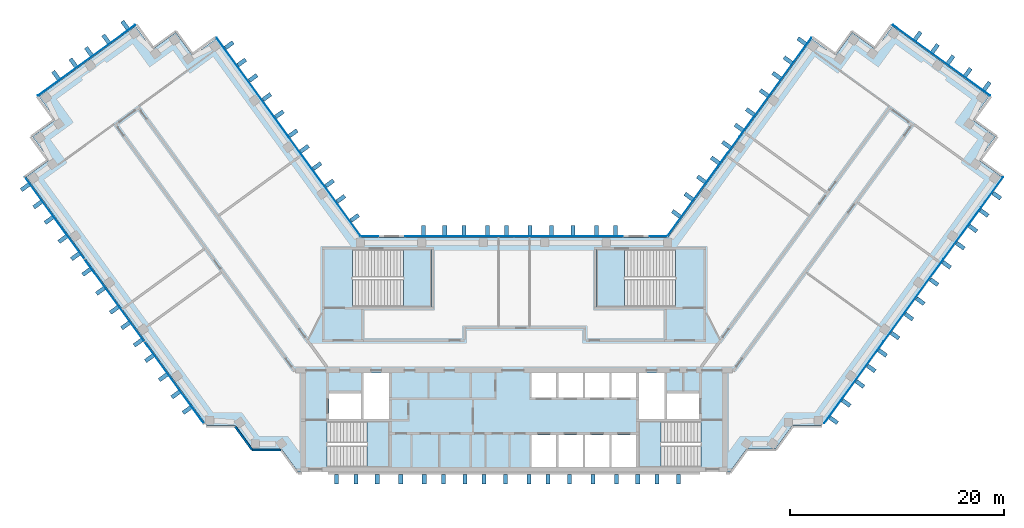
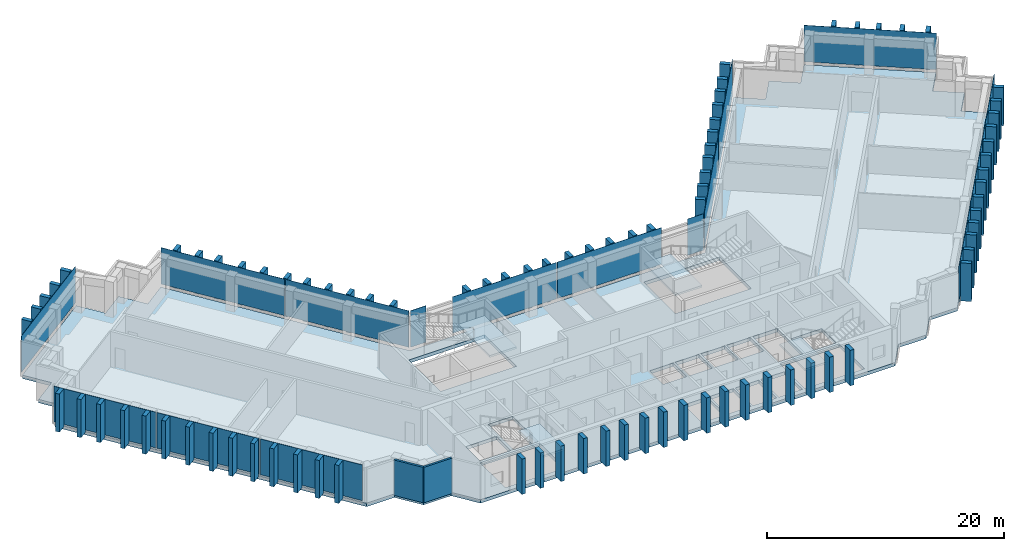
"""IFC4 building model written with IfcOpenShell, lengths in metres."""

import ifcopenshell
import ifcopenshell.guid

model = None  # the IFC model being written
_history = None  # IfcOwnerHistory: only IFC2X3 demands one
_inside = {}  # id of a spatial element -> (the spatial element, [elements in it])
_under = {}  # id of a project, library or spatial element -> (it, [spatial elements below it])
_declared = {}  # id of a project -> (the project, [libraries it declares])
_typed = {}  # id of a type object -> (the type object, [elements of that type])
_made_of = {}  # id of a material, layer set ... -> (it, [elements and type objects made of it])


def new_model(schema):
    """Start an empty IFC model of exactly this schema.

    Asked for "IFC4X3", IfcOpenShell would pick the latest addendum, in which some entities
    have other attributes; the version numbers below select the first issue.
    IFC2X3 requires an IfcOwnerHistory on every rooted entity: one is made here for all.
    """
    global model, _history
    if schema == "IFC4X3":
        model = ifcopenshell.file(schema_version=(4, 3, 0, 0))
    else:
        model = ifcopenshell.file(schema=schema)
    _inside.clear()
    _under.clear()
    _declared.clear()
    _typed.clear()
    _made_of.clear()
    _history = None
    if model.schema == "IFC2X3":
        org = make("IfcOrganization", Name="unknown")
        user = make(
            "IfcPersonAndOrganization",
            ThePerson=make("IfcPerson", FamilyName="unknown"),
            TheOrganization=org,
        )
        app = make(
            "IfcApplication",
            ApplicationDeveloper=org,
            Version="unknown",
            ApplicationFullName="unknown",
            ApplicationIdentifier="unknown",
        )
        _history = make(
            "IfcOwnerHistory",
            OwningUser=user,
            OwningApplication=app,
            ChangeAction="ADDED",
            CreationDate=0,
        )
    return model


def make(cls, **values):
    """One entity of the class cls with the attributes given. An attribute that is None is left unset."""
    return model.create_entity(
        cls, **{name: value for name, value in values.items() if value is not None}
    )


def rooted(cls, **values):
    """An entity with a GlobalId (a new one), such as an element, a storey or a relation."""
    return make(cls, GlobalId=ifcopenshell.guid.new(), OwnerHistory=_history, **values)


def si_unit(unit_type, name, prefix=None):
    """IfcSIUnit, for example si_unit("LENGTHUNIT", "METRE", prefix="MILLI")."""
    return make("IfcSIUnit", UnitType=unit_type, Prefix=prefix, Name=name)


def assignment(units):
    """IfcUnitAssignment: the units of a project."""
    return None if units is None else make("IfcUnitAssignment", Units=units)


def point(xyz):
    """IfcCartesianPoint."""
    return None if xyz is None else make("IfcCartesianPoint", Coordinates=xyz)


def direction(xyz):
    """IfcDirection."""
    return None if xyz is None else make("IfcDirection", DirectionRatios=xyz)


def frame(location, z_axis=None, x_axis=None):
    """IfcAxis2Placement3D, a coordinate frame: its origin and axes. An axis left out is left unset."""
    return make(
        "IfcAxis2Placement3D",
        Location=point(location),
        Axis=direction(z_axis),
        RefDirection=direction(x_axis),
    )


def frame_2d(location, x_axis=None):
    """IfcAxis2Placement2D, a coordinate frame in the plane: its origin and x axis."""
    return make(
        "IfcAxis2Placement2D", Location=point(location), RefDirection=direction(x_axis)
    )


def origin():
    """The frame at (0, 0, 0) with its axes left unset."""
    return frame((0.0, 0.0, 0.0))


def origin_2d():
    """The frame at (0, 0) in the plane with its x axis left unset."""
    return frame_2d((0.0, 0.0))


def place(relative_to, where):
    """IfcLocalPlacement: puts the frame where relative to a parent placement (None: the world)."""
    return make(
        "IfcLocalPlacement", PlacementRelTo=relative_to, RelativePlacement=where
    )


def context(
    kind, dimensions, precision=None, world=None, true_north=None, identifier=None
):
    """IfcGeometricRepresentationContext, for example the 3D "Model" context."""
    return make(
        "IfcGeometricRepresentationContext",
        ContextIdentifier=identifier,
        ContextType=kind,
        CoordinateSpaceDimension=dimensions,
        Precision=precision,
        WorldCoordinateSystem=world,
        TrueNorth=true_north,
    )


def subcontext(parent, identifier, kind, view, scale=None):
    """IfcGeometricRepresentationSubContext, for example "Body" below "Model"."""
    return make(
        "IfcGeometricRepresentationSubContext",
        ContextIdentifier=identifier,
        ContextType=kind,
        ParentContext=parent,
        TargetScale=scale,
        TargetView=view,
    )


def project(units=None, contexts=None):
    """IfcProject with its units and contexts."""
    return rooted(
        "IfcProject",
        Name="project",
        RepresentationContexts=contexts,
        UnitsInContext=assignment(units),
    )


def spatial(cls, under=None, at=None, **own):
    """A site, building, storey or space (cls), placed at a placement, below another one or the project."""
    s = rooted(cls, ObjectPlacement=at, **own)
    if under is not None:
        _under.setdefault(under.id(), (under, []))[1].append(s)
    return s


def polyline(points):
    """IfcPolyline through the points."""
    return make("IfcPolyline", Points=[point(p) for p in points])


def profile(cls, at=None, kind="AREA", **sizes):
    """A parametric profile (cls). Its sizes go by their IFC names, for example OverallWidth=200.0."""
    return make(cls, ProfileType=kind, Position=at, **sizes)


def rectangle(**sizes):
    """IfcRectangleProfileDef."""
    return profile("IfcRectangleProfileDef", **sizes)


def outline(outer, holes=None, kind="AREA"):
    """IfcArbitraryClosedProfileDef: a profile drawn as a closed curve; with holes, ...WithVoids."""
    if holes is None:
        return make("IfcArbitraryClosedProfileDef", ProfileType=kind, OuterCurve=outer)
    return make(
        "IfcArbitraryProfileDefWithVoids",
        ProfileType=kind,
        OuterCurve=outer,
        InnerCurves=holes,
    )


def extrude(swept, where, along, depth):
    """IfcExtrudedAreaSolid: the profile swept, set in the frame where, extruded along a direction by depth."""
    return make(
        "IfcExtrudedAreaSolid",
        SweptArea=swept,
        Position=where,
        ExtrudedDirection=direction(along),
        Depth=depth,
    )


def shape(context_of_items, identifier, shape_type, items):
    """IfcShapeRepresentation: the items that make up one representation, for example the "Body"."""
    return make(
        "IfcShapeRepresentation",
        ContextOfItems=context_of_items,
        RepresentationIdentifier=identifier,
        RepresentationType=shape_type,
        Items=items,
    )


def material(Name=None, Category=None):
    """IfcMaterial."""
    return make("IfcMaterial", Name=Name, Category=Category)


def layer(
    of_material, thickness, ventilated=None, Name=None, Category=None, Priority=None
):
    """IfcMaterialLayer: one layer of a wall or slab, of a material (None: an air gap)."""
    return make(
        "IfcMaterialLayer",
        Material=of_material,
        LayerThickness=thickness,
        IsVentilated=ventilated,
        Name=Name,
        Category=Category,
        Priority=Priority,
    )


def layer_set(layers, Name=None):
    """IfcMaterialLayerSet."""
    return make("IfcMaterialLayerSet", MaterialLayers=layers, LayerSetName=Name)


def made_of(thing, what):
    """Note that an element or type object is made of a material, layer set ...; save() writes the relation."""
    if what is not None:
        _made_of.setdefault(what.id(), (what, []))[1].append(thing)
    return thing


def type_object(cls, material=None, **own):
    """A type object (cls), such as IfcWallType, which elements share."""
    return made_of(rooted(cls, **own), material)


def element(
    cls,
    number,
    at=None,
    inside=None,
    cuts=None,
    type_object=None,
    material=None,
    context=None,
    identifier="Body",
    shape_type=None,
    held_by="IfcProductDefinitionShape",
    body=None,
    shapes=None,
    **own,
):
    """One element of the class cls, such as IfcWall. Its Tag is "e" and its number.

    at: its placement. inside: the storey or other place that contains it. cuts: it is an
    opening in that element (IfcRelVoidsElement). A single representation is given by context,
    identifier, shape_type and body (its items); several are given by shapes. held_by: the class
    of the entity that holds the representations. save() writes the other relations.
    """
    e = rooted(cls, Tag="e%d" % number, ObjectPlacement=at, **own)
    if body is not None:
        shapes = [shape(context, identifier, shape_type, body)]
    if shapes is not None:
        e.Representation = make(held_by, Representations=shapes)
    if inside is not None:
        _inside.setdefault(inside.id(), (inside, []))[1].append(e)
    if cuts is not None:
        rooted(
            "IfcRelVoidsElement", RelatingBuildingElement=cuts, RelatedOpeningElement=e
        )
    if type_object is not None:
        _typed.setdefault(type_object.id(), (type_object, []))[1].append(e)
    return made_of(e, material)


def aggregate(whole, parts):
    """IfcRelAggregates: a whole, such as a stair, and the parts it consists of."""
    return rooted("IfcRelAggregates", RelatingObject=whole, RelatedObjects=parts)


def save(model, path):
    """Write the relations noted so far, then the file.

    IfcRelAggregates (storeys below a building ...), IfcRelContainedInSpatialStructure (elements
    in a storey), IfcRelDefinesByType, IfcRelAssociatesMaterial and IfcRelDeclares: one each for
    every whole, place, type object, material and project.
    """
    for whole, parts in _under.values():
        aggregate(whole, parts)
    for where, things in _inside.values():
        rooted(
            "IfcRelContainedInSpatialStructure",
            RelatedElements=things,
            RelatingStructure=where,
        )
    for kind, things in _typed.values():
        rooted("IfcRelDefinesByType", RelatedObjects=things, RelatingType=kind)
    for what, things in _made_of.values():
        rooted("IfcRelAssociatesMaterial", RelatedObjects=things, RelatingMaterial=what)
    for by, libraries in _declared.values():
        rooted("IfcRelDeclares", RelatingContext=by, RelatedDefinitions=libraries)
    model.write(path)


model = new_model("IFC4")

# Units and contexts
model_context = context("Model", 3, precision=1e-05, world=origin(), true_north=direction((0.0, 1.0)))
body_context = subcontext(model_context, "Body", "Model", "MODEL_VIEW")
ifc_project = project(units=[si_unit("LENGTHUNIT", "METRE"), si_unit("AREAUNIT", "SQUARE_METRE"), si_unit("VOLUMEUNIT", "CUBIC_METRE"), si_unit("PLANEANGLEUNIT", "RADIAN"), si_unit("MASSUNIT", "GRAM", prefix="KILO")], contexts=[model_context])

# Site, building, storey
site_placement = place(None, origin())
site = spatial("IfcSite", under=ifc_project, at=site_placement, CompositionType="ELEMENT")
building_placement = place(site_placement, origin())
building = spatial("IfcBuilding", under=site, at=building_placement, Name="Quipu Civic Tower", CompositionType="ELEMENT")
storey_1_placement = place(building_placement, frame((0.0, 0.0, 144.0)))
storey_1 = spatial("IfcBuildingStorey", under=building, at=storey_1_placement, Name="L33", CompositionType="ELEMENT", Elevation=144.0)

# Slab
ifc_material_1 = material(Name="Concrete C40/50", Category="concrete")
ifc_layer_1 = layer(ifc_material_1, 0.35009765625)
ifc_layer_set_1 = layer_set([ifc_layer_1], Name="Concrete C40/50")
slab_type_1 = type_object("IfcSlabType", Name="Floor slab 350 C40/50", PredefinedType="FLOOR", material=ifc_layer_set_1)
slab_1_placement = place(storey_1_placement, frame((0.0, 0.0, -0.35009765625)))
element("IfcSlab", 1, at=slab_1_placement, inside=storey_1, type_object=slab_type_1, Name="Floor slab L33", PredefinedType="FLOOR", context=body_context, shape_type="SweptSolid", body=[
    extrude(outline(polyline([(27.909912109375, 29.60498046875), (30.094970703125, 28.014892578125), (31.68505859375, 30.199951171875), (33.864990234375, 28.614990234375), (35.455078125, 30.800048828125), (44.514892578125, 24.215087890625), (42.929931640625, 22.030029296875), (45.114990234375, 20.445068359375), (43.52490234375, 18.260009765625), (45.7099609375, 16.669921875), (28.780029296875, -6.6298828125), (26.080078125, -6.6298828125), (24.489990234375, -8.81494140625), (21.7900390625, -8.81494140625), (20.205078125, -11.0), (-20.205078125, -11.0), (-21.7900390625, -8.81494140625), (-24.489990234375, -8.81494140625), (-26.080078125, -6.6298828125), (-28.780029296875, -6.6298828125), (-45.7099609375, 16.669921875), (-43.52490234375, 18.260009765625), (-45.114990234375, 20.445068359375), (-42.929931640625, 22.030029296875), (-44.514892578125, 24.215087890625), (-35.455078125, 30.800048828125), (-33.864990234375, 28.614990234375), (-31.68505859375, 30.199951171875), (-30.094970703125, 28.014892578125), (-27.909912109375, 29.60498046875), (-14.39501953125, 11.0), (14.39501953125, 11.0), (27.909912109375, 29.60498046875)]), holes=[polyline([(1.64990234375, -7.5), (1.64990234375, -10.5), (3.949951171875, -10.5), (3.949951171875, -7.5), (1.64990234375, -7.5)]), polyline([(4.14990234375, -7.5), (4.14990234375, -10.5), (6.449951171875, -10.5), (6.449951171875, -7.5), (4.14990234375, -7.5)]), polyline([(-11.705078125, -6.2548828125), (-17.4951171875, -6.2548828125), (-17.4951171875, -10.4951171875), (-11.705078125, -10.4951171875), (-11.705078125, -6.2548828125)]), polyline([(-17.35009765625, -3.60009765625), (-17.35009765625, -6.0), (-14.35009765625, -6.0), (-14.35009765625, -3.60009765625), (-17.35009765625, -3.60009765625)]), polyline([(-14.10009765625, -1.699951171875), (-14.10009765625, -6.0), (-11.699951171875, -6.0), (-11.699951171875, -1.699951171875), (-14.10009765625, -1.699951171875)]), polyline([(1.64990234375, -1.699951171875), (1.64990234375, -4.0), (3.949951171875, -4.0), (3.949951171875, -1.699951171875), (1.64990234375, -1.699951171875)]), polyline([(4.14990234375, -1.699951171875), (4.14990234375, -4.0), (6.449951171875, -4.0), (6.449951171875, -1.699951171875), (4.14990234375, -1.699951171875)]), polyline([(-7.7548828125, 9.844970703125), (-15.14501953125, 9.844970703125), (-15.14501953125, 4.5048828125), (-7.7548828125, 4.5048828125), (-7.7548828125, 9.844970703125)]), polyline([(6.64990234375, -7.5), (6.64990234375, -10.5), (8.949951171875, -10.5), (8.949951171875, -7.5), (6.64990234375, -7.5)]), polyline([(9.14990234375, -7.5), (9.14990234375, -10.5), (11.449951171875, -10.5), (11.449951171875, -7.5), (9.14990234375, -7.5)]), polyline([(11.705078125, -10.4951171875), (17.4951171875, -10.4951171875), (17.4951171875, -6.2548828125), (11.705078125, -6.2548828125), (11.705078125, -10.4951171875)]), polyline([(14.35009765625, -3.60009765625), (14.35009765625, -6.0), (17.35009765625, -6.0), (17.35009765625, -3.60009765625), (14.35009765625, -3.60009765625)]), polyline([(11.699951171875, -1.699951171875), (11.699951171875, -6.0), (14.10009765625, -6.0), (14.10009765625, -1.699951171875), (11.699951171875, -1.699951171875)]), polyline([(6.64990234375, -1.699951171875), (6.64990234375, -4.0), (8.949951171875, -4.0), (8.949951171875, -1.699951171875), (6.64990234375, -1.699951171875)]), polyline([(9.14990234375, -1.699951171875), (9.14990234375, -4.0), (11.449951171875, -4.0), (11.449951171875, -1.699951171875), (9.14990234375, -1.699951171875)]), polyline([(7.7548828125, 4.5048828125), (15.14501953125, 4.5048828125), (15.14501953125, 9.844970703125), (7.7548828125, 9.844970703125), (7.7548828125, 4.5048828125)])]), origin(), (0.0, 0.0, 1.0), 0.35009765625),
])

# Curtain wall, plates
ifc_material_2 = material(Name="Insulated glass unit", Category="glass")
curtain_wall_type = type_object("IfcCurtainWallType", Name="Office curtain wall CW1", PredefinedType="NOTDEFINED", material=ifc_material_2)
curtain_wall_1_placement = place(storey_1_placement, origin())
curtain_wall_1 = element("IfcCurtainWall", 2, at=curtain_wall_1_placement, inside=storey_1, type_object=curtain_wall_type, Name="Office curtain wall CW1 L33 run 4", PredefinedType="NOTDEFINED")
ifc_material_3 = material(Name="Insulated glass unit", Category="glass")
ifc_layer_2 = layer(ifc_material_3, 0.028076171875)
ifc_layer_set_2 = layer_set([ifc_layer_2], Name="Insulated glass unit")
plate_type_1 = type_object("IfcPlateType", Name="Glass panel CW1", PredefinedType="CURTAIN_PANEL", material=ifc_layer_set_2)
plate_1_placement = place(storey_1_placement, frame((-43.030517578125, 12.814208984375, 0.240234375), z_axis=(0.0, 0.0, 1.0), x_axis=(0.5877856923, -0.80901667469, 0.0)))
plate_1 = element("IfcPlate", 3, at=plate_1_placement, type_object=plate_type_1, Name="CW1 panel 1.1", PredefinedType="CURTAIN_PANEL", context=body_context, shape_type="SweptSolid", body=[
    extrude(rectangle(XDim=9.43212890625, YDim=0.028076171875, at=origin_2d()), origin(), (0.0, 0.0, 1.0), 3.679931640625),
])
plate_2_placement = place(storey_1_placement, frame((-37.427734375, 5.102783203125, 0.240234375), z_axis=(0.0, 0.0, 1.0), x_axis=(0.5877856923, -0.80901667469, 0.0)))
plate_2 = element("IfcPlate", 4, at=plate_2_placement, type_object=plate_type_1, Name="CW1 panel 2.1", PredefinedType="CURTAIN_PANEL", context=body_context, shape_type="SweptSolid", body=[
    extrude(rectangle(XDim=9.471923828125, YDim=0.028076171875, at=origin_2d()), origin(), (0.0, 0.0, 1.0), 3.679931640625),
])
plate_3_placement = place(storey_1_placement, frame((-31.824951171875, -2.60888671875, 0.240234375), z_axis=(0.0, 0.0, 1.0), x_axis=(0.5877856923, -0.80901667469, 0.0)))
plate_3 = element("IfcPlate", 5, at=plate_3_placement, type_object=plate_type_1, Name="CW1 panel 3.1", PredefinedType="CURTAIN_PANEL", context=body_context, shape_type="SweptSolid", body=[
    extrude(rectangle(XDim=9.43212890625, YDim=0.028076171875, at=origin_2d()), origin(), (0.0, 0.0, 1.0), 3.679931640625),
])
aggregate(curtain_wall_1, [plate_1, plate_2, plate_3])

# Storey
storey_2_placement = place(building_placement, frame((0.0, 0.0, 148.0)))
storey_2 = spatial("IfcBuildingStorey", under=building, at=storey_2_placement, Name="L34", CompositionType="ELEMENT", Elevation=148.0)

# Curtain wall, plates
curtain_wall_2_placement = place(storey_2_placement, origin())
curtain_wall_2 = element("IfcCurtainWall", 6, at=curtain_wall_2_placement, inside=storey_2, type_object=curtain_wall_type, Name="Office curtain wall CW1 L33 run 16", PredefinedType="NOTDEFINED")
plate_4_placement = place(storey_1_placement, frame((31.824951171875, -2.60888671875, 0.240234375), z_axis=(0.0, 0.0, 1.0), x_axis=(0.5877856923, 0.80901667469, 0.0)))
plate_4 = element("IfcPlate", 7, at=plate_4_placement, inside=storey_1, type_object=plate_type_1, Name="CW1 panel 1.1", PredefinedType="CURTAIN_PANEL", context=body_context, shape_type="SweptSolid", body=[
    extrude(rectangle(XDim=9.43212890625, YDim=0.028076171875, at=origin_2d()), origin(), (0.0, 0.0, 1.0), 3.760009765625),
])
plate_5_placement = place(storey_1_placement, frame((37.427734375, 5.102783203125, 0.240234375), z_axis=(0.0, 0.0, 1.0), x_axis=(0.5877856923, 0.80901667469, 0.0)))
plate_5 = element("IfcPlate", 8, at=plate_5_placement, inside=storey_1, type_object=plate_type_1, Name="CW1 panel 2.1", PredefinedType="CURTAIN_PANEL", context=body_context, shape_type="SweptSolid", body=[
    extrude(rectangle(XDim=9.471923828125, YDim=0.028076171875, at=origin_2d()), origin(), (0.0, 0.0, 1.0), 3.760009765625),
])
plate_6_placement = place(storey_1_placement, frame((43.030517578125, 12.814208984375, 0.240234375), z_axis=(0.0, 0.0, 1.0), x_axis=(0.5877856923, 0.80901667469, 0.0)))
plate_6 = element("IfcPlate", 9, at=plate_6_placement, inside=storey_1, type_object=plate_type_1, Name="CW1 panel 3.1", PredefinedType="CURTAIN_PANEL", context=body_context, shape_type="SweptSolid", body=[
    extrude(rectangle(XDim=9.43212890625, YDim=0.028076171875, at=origin_2d()), origin(), (0.0, 0.0, 1.0), 3.760009765625),
])
aggregate(curtain_wall_2, [plate_4, plate_5, plate_6])

# Curtain wall, plate
curtain_wall_3_placement = place(storey_2_placement, origin())
curtain_wall_3 = element("IfcCurtainWall", 10, at=curtain_wall_3_placement, inside=storey_2, type_object=curtain_wall_type, Name="Office curtain wall CW1 L33 run 21", PredefinedType="NOTDEFINED")
plate_7_placement = place(storey_1_placement, frame((40.04345703125, 27.58740234375, 0.240234375), z_axis=(0.0, 0.0, 1.0), x_axis=(-0.809015176832, 0.587787753918, 0.0)))
plate_7 = element("IfcPlate", 11, at=plate_7_placement, inside=storey_1, type_object=plate_type_1, Name="CW1 panel 1.1", PredefinedType="CURTAIN_PANEL", context=body_context, shape_type="SweptSolid", body=[
    extrude(rectangle(XDim=11.239990234375, YDim=0.028076171875, at=origin_2d()), origin(), (0.0, 0.0, 1.0), 3.760009765625),
])
aggregate(curtain_wall_3, [plate_7])

# Curtain wall, plates
curtain_wall_4_placement = place(storey_2_placement, origin())
curtain_wall_4 = element("IfcCurtainWall", 12, at=curtain_wall_4_placement, inside=storey_2, type_object=curtain_wall_type, Name="Office curtain wall CW1 L33 run 26", PredefinedType="NOTDEFINED")
plate_8_placement = place(storey_1_placement, frame((24.491455078125, 25.066162109375, 0.240234375), z_axis=(0.0, 0.0, 1.0), x_axis=(-0.587788727052, -0.809014469803, 0.0)))
plate_8 = element("IfcPlate", 13, at=plate_8_placement, inside=storey_1, type_object=plate_type_1, Name="CW1 panel 1.1", PredefinedType="CURTAIN_PANEL", context=body_context, shape_type="SweptSolid", body=[
    extrude(rectangle(XDim=11.402099609375, YDim=0.028076171875, at=origin_2d()), origin(), (0.0, 0.0, 1.0), 3.760009765625),
])
plate_9_placement = place(storey_1_placement, frame((17.7421875, 15.777099609375, 0.240234375), z_axis=(0.0, 0.0, 1.0), x_axis=(-0.587788727052, -0.809014469803, 0.0)))
plate_9 = element("IfcPlate", 14, at=plate_9_placement, inside=storey_1, type_object=plate_type_1, Name="CW1 panel 2.1", PredefinedType="CURTAIN_PANEL", context=body_context, shape_type="SweptSolid", body=[
    extrude(rectangle(XDim=11.402099609375, YDim=0.028076171875, at=origin_2d()), origin(), (0.0, 0.0, 1.0), 3.760009765625),
])
aggregate(curtain_wall_4, [plate_8, plate_9])

# Curtain wall, plate
curtain_wall_5_placement = place(storey_2_placement, origin())
curtain_wall_5 = element("IfcCurtainWall", 15, at=curtain_wall_5_placement, inside=storey_2, type_object=curtain_wall_type, Name="Office curtain wall CW1 L33 run 27", PredefinedType="NOTDEFINED")
plate_10_placement = place(storey_1_placement, frame((13.49951171875, 11.10009765625, 0.240234375), z_axis=(0.0, 0.0, 1.0), x_axis=(-1.0, 0.0, 0.0)))
plate_10 = element("IfcPlate", 16, at=plate_10_placement, inside=storey_1, type_object=plate_type_1, Name="CW1 panel 1.1", PredefinedType="CURTAIN_PANEL", context=body_context, shape_type="SweptSolid", body=[
    extrude(rectangle(XDim=1.529296875, YDim=0.028076171875, at=origin_2d()), origin(), (0.0, 0.0, 1.0), 3.760009765625),
])
aggregate(curtain_wall_5, [plate_10])

# Curtain wall, plates
curtain_wall_6_placement = place(storey_2_placement, origin())
curtain_wall_6 = element("IfcCurtainWall", 17, at=curtain_wall_6_placement, inside=storey_2, type_object=curtain_wall_type, Name="Office curtain wall CW1 L33 run 29", PredefinedType="NOTDEFINED")
plate_11_placement = place(storey_1_placement, frame((5.11181640625, 11.10009765625, 0.240234375), z_axis=(0.0, 0.0, 1.0), x_axis=(-1.0, 0.0, 0.0)))
plate_11 = element("IfcPlate", 18, at=plate_11_placement, inside=storey_1, type_object=plate_type_1, Name="CW1 panel 1.1", PredefinedType="CURTAIN_PANEL", context=body_context, shape_type="SweptSolid", body=[
    extrude(rectangle(XDim=10.1435546875, YDim=0.028076171875, at=origin_2d()), origin(), (0.0, 0.0, 1.0), 3.760009765625),
])
plate_12_placement = place(storey_1_placement, frame((-5.11181640625, 11.10009765625, 0.240234375), z_axis=(0.0, 0.0, 1.0), x_axis=(-1.0, 0.0, 0.0)))
plate_12 = element("IfcPlate", 19, at=plate_12_placement, inside=storey_1, type_object=plate_type_1, Name="CW1 panel 2.1", PredefinedType="CURTAIN_PANEL", context=body_context, shape_type="SweptSolid", body=[
    extrude(rectangle(XDim=10.1435546875, YDim=0.028076171875, at=origin_2d()), origin(), (0.0, 0.0, 1.0), 3.760009765625),
])
aggregate(curtain_wall_6, [plate_11, plate_12])

# Curtain wall, plate
curtain_wall_7_placement = place(storey_2_placement, origin())
curtain_wall_7 = element("IfcCurtainWall", 20, at=curtain_wall_7_placement, inside=storey_2, type_object=curtain_wall_type, Name="Office curtain wall CW1 L33 run 31", PredefinedType="NOTDEFINED")
plate_13_placement = place(storey_1_placement, frame((-13.49951171875, 11.10009765625, 0.240234375), z_axis=(0.0, 0.0, 1.0), x_axis=(-1.0, 0.0, 0.0)))
plate_13 = element("IfcPlate", 21, at=plate_13_placement, inside=storey_1, type_object=plate_type_1, Name="CW1 panel 1.1", PredefinedType="CURTAIN_PANEL", context=body_context, shape_type="SweptSolid", body=[
    extrude(rectangle(XDim=1.529296875, YDim=0.028076171875, at=origin_2d()), origin(), (0.0, 0.0, 1.0), 3.760009765625),
])
aggregate(curtain_wall_7, [plate_13])

# Curtain wall, plates
curtain_wall_8_placement = place(storey_2_placement, origin())
curtain_wall_8 = element("IfcCurtainWall", 22, at=curtain_wall_8_placement, inside=storey_2, type_object=curtain_wall_type, Name="Office curtain wall CW1 L33 run 32", PredefinedType="NOTDEFINED")
plate_14_placement = place(storey_1_placement, frame((-17.7421875, 15.777099609375, 0.240234375), z_axis=(0.0, 0.0, 1.0), x_axis=(-0.587788727052, 0.809014469803, 0.0)))
plate_14 = element("IfcPlate", 23, at=plate_14_placement, inside=storey_1, type_object=plate_type_1, Name="CW1 panel 1.1", PredefinedType="CURTAIN_PANEL", context=body_context, shape_type="SweptSolid", body=[
    extrude(rectangle(XDim=11.402099609375, YDim=0.028076171875, at=origin_2d()), origin(), (0.0, 0.0, 1.0), 3.760009765625),
])
plate_15_placement = place(storey_1_placement, frame((-24.491455078125, 25.066162109375, 0.240234375), z_axis=(0.0, 0.0, 1.0), x_axis=(-0.587788727052, 0.809014469803, 0.0)))
plate_15 = element("IfcPlate", 24, at=plate_15_placement, inside=storey_1, type_object=plate_type_1, Name="CW1 panel 2.1", PredefinedType="CURTAIN_PANEL", context=body_context, shape_type="SweptSolid", body=[
    extrude(rectangle(XDim=11.402099609375, YDim=0.028076171875, at=origin_2d()), origin(), (0.0, 0.0, 1.0), 3.760009765625),
])
aggregate(curtain_wall_8, [plate_14, plate_15])

# Curtain wall, plate
curtain_wall_9_placement = place(storey_2_placement, origin())
curtain_wall_9 = element("IfcCurtainWall", 25, at=curtain_wall_9_placement, inside=storey_2, type_object=curtain_wall_type, Name="Office curtain wall CW1 L33 run 37", PredefinedType="NOTDEFINED")
plate_16_placement = place(storey_1_placement, frame((-40.04345703125, 27.58740234375, 0.240234375), z_axis=(0.0, 0.0, 1.0), x_axis=(-0.809015176832, -0.587787753918, 0.0)))
plate_16 = element("IfcPlate", 26, at=plate_16_placement, inside=storey_1, type_object=plate_type_1, Name="CW1 panel 1.1", PredefinedType="CURTAIN_PANEL", context=body_context, shape_type="SweptSolid", body=[
    extrude(rectangle(XDim=11.239990234375, YDim=0.028076171875, at=origin_2d()), origin(), (0.0, 0.0, 1.0), 3.760009765625),
])
aggregate(curtain_wall_9, [plate_16])

# Plates
ifc_material_4 = material(Name="Precast concrete C40/50", Category="concrete")
plate_type_2 = type_object("IfcPlateType", Name="Precast fin F2", PredefinedType="SHEET", material=ifc_material_4)
for number, where, z_axis, x_axis, name in (
    (27, (-45.80078125, 15.69140625, 0.080078125), (0.0, 0.0, 1.0), (0.587785620359, -0.809016726959, 0.0), "Precast fin F2 L33.4.1"),
    (28, (-44.625244140625, 14.073486328125, 0.080078125), (0.0, 0.0, 1.0), (0.587785620359, -0.809016726959, 0.0), "Precast fin F2 L33.4.2"),
    (29, (-43.567138671875, 12.6171875, 0.080078125), (0.0, 0.0, 1.0), (0.587785620359, -0.809016726959, 0.0), "Precast fin F2 L33.4.3"),
    (30, (-42.27392578125, 10.83740234375, 0.080078125), (0.0, 0.0, 1.0), (0.587785620359, -0.809016726959, 0.0), "Precast fin F2 L33.4.4"),
    (31, (-41.098388671875, 9.21923828125, 0.080078125), (0.0, 0.0, 1.0), (0.587785620359, -0.809016726959, 0.0), "Precast fin F2 L33.4.5"),
    (32, (-40.040283203125, 7.76318359375, 0.080078125), (0.0, 0.0, 1.0), (0.587785620359, -0.809016726959, 0.0), "Precast fin F2 L33.4.6"),
    (33, (-38.747314453125, 5.983154296875, 0.080078125), (0.0, 0.0, 1.0), (0.587785620359, -0.809016726959, 0.0), "Precast fin F2 L33.4.7"),
    (34, (-37.4541015625, 4.203369140625, 0.080078125), (0.0, 0.0, 1.0), (0.587785620359, -0.809016726959, 0.0), "Precast fin F2 L33.4.8"),
    (35, (-36.396240234375, 2.747314453125, 0.080078125), (0.0, 0.0, 1.0), (0.587785620359, -0.809016726959, 0.0), "Precast fin F2 L33.4.9"),
    (36, (-35.220458984375, 1.129150390625, 0.080078125), (0.0, 0.0, 1.0), (0.587785620359, -0.809016726959, 0.0), "Precast fin F2 L33.4.10"),
    (37, (-34.16259765625, -0.3271484375, 0.080078125), (0.0, 0.0, 1.0), (0.587785620359, -0.809016726959, 0.0), "Precast fin F2 L33.4.11"),
    (38, (-32.869384765625, -2.10693359375, 0.080078125), (0.0, 0.0, 1.0), (0.587785620359, -0.809016726959, 0.0), "Precast fin F2 L33.4.12"),
    (39, (-31.69384765625, -3.724853515625, 0.080078125), (0.0, 0.0, 1.0), (0.587785620359, -0.809016726959, 0.0), "Precast fin F2 L33.4.13"),
    (40, (-30.6357421875, -5.18115234375, 0.080078125), (0.0, 0.0, 1.0), (0.587785620359, -0.809016726959, 0.0), "Precast fin F2 L33.4.14"),
):
    element("IfcPlate", number, at=place(storey_1_placement, frame(where, z_axis=z_axis, x_axis=x_axis)), inside=storey_1, type_object=plate_type_2, Name=name, PredefinedType="SHEET", context=body_context, shape_type="SweptSolid", body=[
        extrude(rectangle(XDim=0.3798828125, YDim=0.89990234375, at=origin_2d()), origin(), (0.0, 0.0, 1.0), 3.919921875),
    ])
for number, where, z_axis, x_axis, name in (
    (41, (-16.610107421875, -11.637939453125, 0.0), (0.0, 0.0, 1.0), (1.0, 0.0, 0.0), "Precast fin F2 L33.10.1"),
    (42, (-14.81005859375, -11.637939453125, 0.0), (0.0, 0.0, 1.0), (1.0, 0.0, 0.0), "Precast fin F2 L33.10.2"),
    (43, (-12.81005859375, -11.637939453125, 0.0), (0.0, 0.0, 1.0), (1.0, 0.0, 0.0), "Precast fin F2 L33.10.3"),
    (44, (-10.610107421875, -11.637939453125, 0.0), (0.0, 0.0, 1.0), (1.0, 0.0, 0.0), "Precast fin F2 L33.10.4"),
    (45, (-8.409912109375, -11.637939453125, 0.0), (0.0, 0.0, 1.0), (1.0, 0.0, 0.0), "Precast fin F2 L33.10.5"),
    (46, (-6.610107421875, -11.637939453125, 0.0), (0.0, 0.0, 1.0), (1.0, 0.0, 0.0), "Precast fin F2 L33.10.6"),
    (47, (-4.610107421875, -11.637939453125, 0.0), (0.0, 0.0, 1.0), (1.0, 0.0, 0.0), "Precast fin F2 L33.10.7"),
    (48, (-2.81005859375, -11.637939453125, 0.0), (0.0, 0.0, 1.0), (1.0, 0.0, 0.0), "Precast fin F2 L33.10.8"),
    (49, (-0.81005859375, -11.637939453125, 0.0), (0.0, 0.0, 1.0), (1.0, 0.0, 0.0), "Precast fin F2 L33.10.9"),
    (50, (1.389892578125, -11.637939453125, 0.0), (0.0, 0.0, 1.0), (1.0, 0.0, 0.0), "Precast fin F2 L33.10.10"),
    (51, (3.18994140625, -11.637939453125, 0.0), (0.0, 0.0, 1.0), (1.0, 0.0, 0.0), "Precast fin F2 L33.10.11"),
    (52, (5.18994140625, -11.637939453125, 0.0), (0.0, 0.0, 1.0), (1.0, 0.0, 0.0), "Precast fin F2 L33.10.12"),
    (53, (7.389892578125, -11.637939453125, 0.0), (0.0, 0.0, 1.0), (1.0, 0.0, 0.0), "Precast fin F2 L33.10.13"),
    (54, (9.590087890625, -11.637939453125, 0.0), (0.0, 0.0, 1.0), (1.0, 0.0, 0.0), "Precast fin F2 L33.10.14"),
    (55, (11.590087890625, -11.637939453125, 0.0), (0.0, 0.0, 1.0), (1.0, 0.0, 0.0), "Precast fin F2 L33.10.15"),
    (56, (13.389892578125, -11.637939453125, 0.0), (0.0, 0.0, 1.0), (1.0, 0.0, 0.0), "Precast fin F2 L33.10.16"),
    (57, (15.389892578125, -11.637939453125, 0.0), (0.0, 0.0, 1.0), (1.0, 0.0, 0.0), "Precast fin F2 L33.10.17"),
):
    element("IfcPlate", number, at=place(storey_1_placement, frame(where, z_axis=z_axis, x_axis=x_axis)), inside=storey_1, type_object=plate_type_2, Name=name, PredefinedType="SHEET", context=body_context, shape_type="SweptSolid", body=[
        extrude(rectangle(XDim=0.3798828125, YDim=0.89990234375, at=origin_2d()), origin(), (0.0, 0.0, 1.0), 3.64990234375),
    ])
for number, where, z_axis, x_axis, name in (
    (58, (29.944091796875, -6.133056640625, 0.080078125), (0.0, 0.0, 1.0), (0.587785620359, 0.809016726959, 0.0), "Precast fin F2 L33.16.1"),
    (59, (31.119873046875, -4.51513671875, 0.080078125), (0.0, 0.0, 1.0), (0.587785620359, 0.809016726959, 0.0), "Precast fin F2 L33.16.2"),
    (60, (32.412841796875, -2.7353515625, 0.080078125), (0.0, 0.0, 1.0), (0.587785620359, 0.809016726959, 0.0), "Precast fin F2 L33.16.3"),
    (61, (33.470947265625, -1.279052734375, 0.080078125), (0.0, 0.0, 1.0), (0.587785620359, 0.809016726959, 0.0), "Precast fin F2 L33.16.4"),
    (62, (34.52880859375, 0.17724609375, 0.080078125), (0.0, 0.0, 1.0), (0.587785620359, 0.809016726959, 0.0), "Precast fin F2 L33.16.5"),
    (63, (35.70458984375, 1.795166015625, 0.080078125), (0.0, 0.0, 1.0), (0.587785620359, 0.809016726959, 0.0), "Precast fin F2 L33.16.6"),
    (64, (36.99755859375, 3.5751953125, 0.080078125), (0.0, 0.0, 1.0), (0.587785620359, 0.809016726959, 0.0), "Precast fin F2 L33.16.7"),
    (65, (38.0556640625, 5.03125, 0.080078125), (0.0, 0.0, 1.0), (0.587785620359, 0.809016726959, 0.0), "Precast fin F2 L33.16.8"),
    (66, (39.348876953125, 6.81103515625, 0.080078125), (0.0, 0.0, 1.0), (0.587785620359, 0.809016726959, 0.0), "Precast fin F2 L33.16.9"),
    (67, (40.5244140625, 8.42919921875, 0.080078125), (0.0, 0.0, 1.0), (0.587785620359, 0.809016726959, 0.0), "Precast fin F2 L33.16.10"),
    (68, (41.8173828125, 10.208984375, 0.080078125), (0.0, 0.0, 1.0), (0.587785620359, 0.809016726959, 0.0), "Precast fin F2 L33.16.11"),
    (69, (42.992919921875, 11.8271484375, 0.080078125), (0.0, 0.0, 1.0), (0.587785620359, 0.809016726959, 0.0), "Precast fin F2 L33.16.12"),
    (70, (44.051025390625, 13.283203125, 0.080078125), (0.0, 0.0, 1.0), (0.587785620359, 0.809016726959, 0.0), "Precast fin F2 L33.16.13"),
    (71, (45.2265625, 14.9013671875, 0.080078125), (0.0, 0.0, 1.0), (0.587785620359, 0.809016726959, 0.0), "Precast fin F2 L33.16.14"),
    (72, (44.298583984375, 25.17578125, 0.080078125), (0.0, 0.0, 1.0), (-0.809017072762, 0.587785144401, 0.0), "Precast fin F2 L33.21.1"),
    (73, (42.518798828125, 26.468994140625, 0.080078125), (0.0, 0.0, 1.0), (-0.809017072762, 0.587785144401, 0.0), "Precast fin F2 L33.21.2"),
    (74, (40.900634765625, 27.64453125, 0.080078125), (0.0, 0.0, 1.0), (-0.809017072762, 0.587785144401, 0.0), "Precast fin F2 L33.21.3"),
    (75, (39.444580078125, 28.70263671875, 0.080078125), (0.0, 0.0, 1.0), (-0.809017072762, 0.587785144401, 0.0), "Precast fin F2 L33.21.4"),
    (76, (37.826416015625, 29.878173828125, 0.080078125), (0.0, 0.0, 1.0), (-0.809017072762, 0.587785144401, 0.0), "Precast fin F2 L33.21.5"),
    (77, (26.95068359375, 29.386962890625, 0.080078125), (0.0, 0.0, 1.0), (-0.587787133119, -0.809015627871, 0.0), "Precast fin F2 L33.26.1"),
    (78, (25.657470703125, 27.607177734375, 0.080078125), (0.0, 0.0, 1.0), (-0.587787133119, -0.809015627871, 0.0), "Precast fin F2 L33.26.2"),
    (79, (24.599609375, 26.15087890625, 0.080078125), (0.0, 0.0, 1.0), (-0.587787133119, -0.809015627871, 0.0), "Precast fin F2 L33.26.3"),
    (80, (23.424072265625, 24.53271484375, 0.080078125), (0.0, 0.0, 1.0), (-0.587787133119, -0.809015627871, 0.0), "Precast fin F2 L33.26.4"),
    (81, (22.130859375, 22.7529296875, 0.080078125), (0.0, 0.0, 1.0), (-0.587787133119, -0.809015627871, 0.0), "Precast fin F2 L33.26.5"),
    (82, (21.07275390625, 21.296630859375, 0.080078125), (0.0, 0.0, 1.0), (-0.587787133119, -0.809015627871, 0.0), "Precast fin F2 L33.26.6"),
    (83, (19.897216796875, 19.6787109375, 0.080078125), (0.0, 0.0, 1.0), (-0.587787133119, -0.809015627871, 0.0), "Precast fin F2 L33.26.7"),
    (84, (18.839111328125, 18.222412109375, 0.080078125), (0.0, 0.0, 1.0), (-0.587787133119, -0.809015627871, 0.0), "Precast fin F2 L33.26.8"),
    (85, (17.546142578125, 16.442626953125, 0.080078125), (0.0, 0.0, 1.0), (-0.587787133119, -0.809015627871, 0.0), "Precast fin F2 L33.26.9"),
    (86, (16.37060546875, 14.82470703125, 0.080078125), (0.0, 0.0, 1.0), (-0.587787133119, -0.809015627871, 0.0), "Precast fin F2 L33.26.10"),
    (87, (15.19482421875, 13.20654296875, 0.080078125), (0.0, 0.0, 1.0), (-0.587787133119, -0.809015627871, 0.0), "Precast fin F2 L33.26.11"),
    (88, (9.510009765625, 11.64990234375, 0.080078125), (0.0, 0.0, 1.0), (-1.0, 0.0, 0.0), "Precast fin F2 L33.29.1"),
    (89, (7.7099609375, 11.64990234375, 0.080078125), (0.0, 0.0, 1.0), (-1.0, 0.0, 0.0), "Precast fin F2 L33.29.2"),
    (90, (5.510009765625, 11.64990234375, 0.080078125), (0.0, 0.0, 1.0), (-1.0, 0.0, 0.0), "Precast fin F2 L33.29.3"),
    (91, (3.510009765625, 11.64990234375, 0.080078125), (0.0, 0.0, 1.0), (-1.0, 0.0, 0.0), "Precast fin F2 L33.29.4"),
    (92, (1.510009765625, 11.64990234375, 0.080078125), (0.0, 0.0, 1.0), (-1.0, 0.0, 0.0), "Precast fin F2 L33.29.5"),
    (93, (-0.68994140625, 11.64990234375, 0.080078125), (0.0, 0.0, 1.0), (-1.0, 0.0, 0.0), "Precast fin F2 L33.29.6"),
    (94, (-2.489990234375, 11.64990234375, 0.080078125), (0.0, 0.0, 1.0), (-1.0, 0.0, 0.0), "Precast fin F2 L33.29.7"),
    (95, (-4.68994140625, 11.64990234375, 0.080078125), (0.0, 0.0, 1.0), (-1.0, 0.0, 0.0), "Precast fin F2 L33.29.8"),
    (96, (-6.489990234375, 11.64990234375, 0.080078125), (0.0, 0.0, 1.0), (-1.0, 0.0, 0.0), "Precast fin F2 L33.29.9"),
    (97, (-8.489990234375, 11.64990234375, 0.080078125), (0.0, 0.0, 1.0), (-1.0, 0.0, 0.0), "Precast fin F2 L33.29.10"),
    (98, (-14.92138671875, 12.830078125, 0.080078125), (0.0, 0.0, 1.0), (-0.587787133119, 0.809015627871, 0.0), "Precast fin F2 L33.32.1"),
    (99, (-16.214599609375, 14.610107421875, 0.080078125), (0.0, 0.0, 1.0), (-0.587787133119, 0.809015627871, 0.0), "Precast fin F2 L33.32.2"),
    (100, (-17.272705078125, 16.066162109375, 0.080078125), (0.0, 0.0, 1.0), (-0.587787133119, 0.809015627871, 0.0), "Precast fin F2 L33.32.3"),
    (101, (-18.4482421875, 17.684326171875, 0.080078125), (0.0, 0.0, 1.0), (-0.587787133119, 0.809015627871, 0.0), "Precast fin F2 L33.32.4"),
    (102, (-19.623779296875, 19.30224609375, 0.080078125), (0.0, 0.0, 1.0), (-0.587787133119, 0.809015627871, 0.0), "Precast fin F2 L33.32.5"),
    (103, (-20.681884765625, 20.758544921875, 0.080078125), (0.0, 0.0, 1.0), (-0.587787133119, 0.809015627871, 0.0), "Precast fin F2 L33.32.6"),
    (104, (-21.974853515625, 22.538330078125, 0.080078125), (0.0, 0.0, 1.0), (-0.587787133119, 0.809015627871, 0.0), "Precast fin F2 L33.32.7"),
    (105, (-23.150390625, 24.156494140625, 0.080078125), (0.0, 0.0, 1.0), (-0.587787133119, 0.809015627871, 0.0), "Precast fin F2 L33.32.8"),
    (106, (-24.443603515625, 25.936279296875, 0.080078125), (0.0, 0.0, 1.0), (-0.587787133119, 0.809015627871, 0.0), "Precast fin F2 L33.32.9"),
    (107, (-25.501708984375, 27.392578125, 0.080078125), (0.0, 0.0, 1.0), (-0.587787133119, 0.809015627871, 0.0), "Precast fin F2 L33.32.10"),
    (108, (-26.67724609375, 29.010498046875, 0.080078125), (0.0, 0.0, 1.0), (-0.587787133119, 0.809015627871, 0.0), "Precast fin F2 L33.32.11"),
    (109, (-36.434814453125, 30.88916015625, 0.080078125), (0.0, 0.0, 1.0), (-0.809017072762, -0.587785144401, 0.0), "Precast fin F2 L33.37.1"),
    (110, (-38.21484375, 29.595947265625, 0.080078125), (0.0, 0.0, 1.0), (-0.809017072762, -0.587785144401, 0.0), "Precast fin F2 L33.37.2"),
    (111, (-39.832763671875, 28.42041015625, 0.080078125), (0.0, 0.0, 1.0), (-0.809017072762, -0.587785144401, 0.0), "Precast fin F2 L33.37.3"),
    (112, (-41.2890625, 27.3623046875, 0.080078125), (0.0, 0.0, 1.0), (-0.809017072762, -0.587785144401, 0.0), "Precast fin F2 L33.37.4"),
    (113, (-42.906982421875, 26.186767578125, 0.080078125), (0.0, 0.0, 1.0), (-0.809017072762, -0.587785144401, 0.0), "Precast fin F2 L33.37.5"),
):
    element("IfcPlate", number, at=place(storey_1_placement, frame(where, z_axis=z_axis, x_axis=x_axis)), inside=storey_1, type_object=plate_type_2, Name=name, PredefinedType="SHEET", context=body_context, shape_type="SweptSolid", body=[
        extrude(rectangle(XDim=0.3798828125, YDim=0.89990234375, at=origin_2d()), origin(), (0.0, 0.0, 1.0), 3.919921875),
    ])

# Stair, slab
ifc_material_5 = material(Name="Concrete C40/50", Category="concrete")
stair_type_1 = type_object("IfcStairType", Name="Half turn stair 2000", PredefinedType="HALF_TURN_STAIR", material=ifc_material_5)
stair_1_placement = place(storey_1_placement, origin())
stair_1 = element("IfcStair", 114, at=stair_1_placement, inside=storey_1, type_object=stair_type_1, Name="Exit stair 1", PredefinedType="HALF_TURN_STAIR")
ifc_material_6 = material(Name="Concrete C40/50", Category="concrete")
ifc_layer_3 = layer(ifc_material_6, 0.199951171875)
ifc_layer_set_3 = layer_set([ifc_layer_3], Name="Concrete C40/50")
slab_type_2 = type_object("IfcSlabType", Name="Stair landing 200", PredefinedType="LANDING", material=ifc_layer_set_3)
slab_2_placement = place(storey_1_placement, frame((0.0, 0.0, 1.800048828125)))
slab_2 = element("IfcSlab", 115, at=slab_2_placement, type_object=slab_type_2, Name="ST-1 landing 1", PredefinedType="LANDING", context=body_context, shape_type="SweptSolid", body=[
    extrude(outline(polyline([(-13.780029296875, -10.5), (-11.699951171875, -10.5), (-11.699951171875, -6.25), (-13.780029296875, -6.25), (-13.780029296875, -10.5)])), origin(), (0.0, 0.0, 1.0), 0.199951171875),
])
aggregate(stair_1, [slab_2])

stair_2_placement = place(storey_1_placement, origin())
stair_2 = element("IfcStair", 116, at=stair_2_placement, inside=storey_1, type_object=stair_type_1, Name="Exit stair 2", PredefinedType="HALF_TURN_STAIR")
slab_3_placement = place(storey_1_placement, frame((0.0, 0.0, 1.800048828125)))
slab_3 = element("IfcSlab", 117, at=slab_3_placement, type_object=slab_type_2, Name="ST-2 landing 1", PredefinedType="LANDING", context=body_context, shape_type="SweptSolid", body=[
    extrude(outline(polyline([(13.780029296875, -6.25), (11.699951171875, -6.25), (11.699951171875, -10.5), (13.780029296875, -10.5), (13.780029296875, -6.25)])), origin(), (0.0, 0.0, 1.0), 0.199951171875),
])
aggregate(stair_2, [slab_3])

ifc_material_7 = material(Name="Concrete C40/50", Category="concrete")
stair_type_2 = type_object("IfcStairType", Name="Half turn stair 2600", PredefinedType="HALF_TURN_STAIR", material=ifc_material_7)
stair_3_placement = place(storey_1_placement, origin())
stair_3 = element("IfcStair", 118, at=stair_3_placement, inside=storey_1, type_object=stair_type_2, Name="Exit stair 3", PredefinedType="HALF_TURN_STAIR")
slab_4_placement = place(storey_1_placement, frame((0.0, 0.0, 1.800048828125)))
slab_4 = element("IfcSlab", 119, at=slab_4_placement, type_object=slab_type_2, Name="ST-3 landing 1", PredefinedType="LANDING", context=body_context, shape_type="SweptSolid", body=[
    extrude(outline(polyline([(-10.35009765625, 4.5), (-7.75, 4.5), (-7.75, 9.85009765625), (-10.35009765625, 9.85009765625), (-10.35009765625, 4.5)])), origin(), (0.0, 0.0, 1.0), 0.199951171875),
])
aggregate(stair_3, [slab_4])

stair_4_placement = place(storey_1_placement, origin())
stair_4 = element("IfcStair", 120, at=stair_4_placement, inside=storey_1, type_object=stair_type_2, Name="Exit stair 4", PredefinedType="HALF_TURN_STAIR")
slab_5_placement = place(storey_1_placement, frame((0.0, 0.0, 1.800048828125)))
slab_5 = element("IfcSlab", 121, at=slab_5_placement, type_object=slab_type_2, Name="ST-4 landing 1", PredefinedType="LANDING", context=body_context, shape_type="SweptSolid", body=[
    extrude(outline(polyline([(10.35009765625, 9.85009765625), (7.75, 9.85009765625), (7.75, 4.5), (10.35009765625, 4.5), (10.35009765625, 9.85009765625)])), origin(), (0.0, 0.0, 1.0), 0.199951171875),
])
aggregate(stair_4, [slab_5])

# Walls
ifc_material_8 = material(Name="Precast concrete C40/50", Category="concrete")
wall_type = type_object("IfcWallType", Name="Precast cladding wall", PredefinedType="SOLIDWALL", material=ifc_material_8)
wall_1_placement = place(storey_1_placement, frame((-26.1201171875, -6.72412109375, 0.0), z_axis=(0.0, 0.0, 1.0), x_axis=(0.587720002413, -0.809064397168, 0.0)))
element("IfcWall", 122, at=wall_1_placement, inside=storey_1, type_object=wall_type, Name="Precast cladding wall L33 6", PredefinedType="SOLIDWALL", context=body_context, shape_type="SweptSolid", body=[
    extrude(rectangle(XDim=2.7001953125, YDim=0.199951171875, at=frame_2d((1.35009765625, 0.0))), origin(), (0.0, 0.0, 1.0), 3.64990234375),
])
wall_2_placement = place(storey_1_placement, frame((-24.542724609375, -8.90380859375, 0.0), z_axis=(0.0, 0.0, 1.0), x_axis=(1.0, 0.0, 0.0)))
element("IfcWall", 123, at=wall_2_placement, inside=storey_1, type_object=wall_type, Name="Precast cladding wall L33 7", PredefinedType="SOLIDWALL", context=body_context, shape_type="SweptSolid", body=[
    extrude(rectangle(XDim=2.699951171875, YDim=0.199951171875, at=frame_2d((1.35009765625, 0.0))), origin(), (0.0, 0.0, 1.0), 3.64990234375),
])

save(model, "model.ifc")
